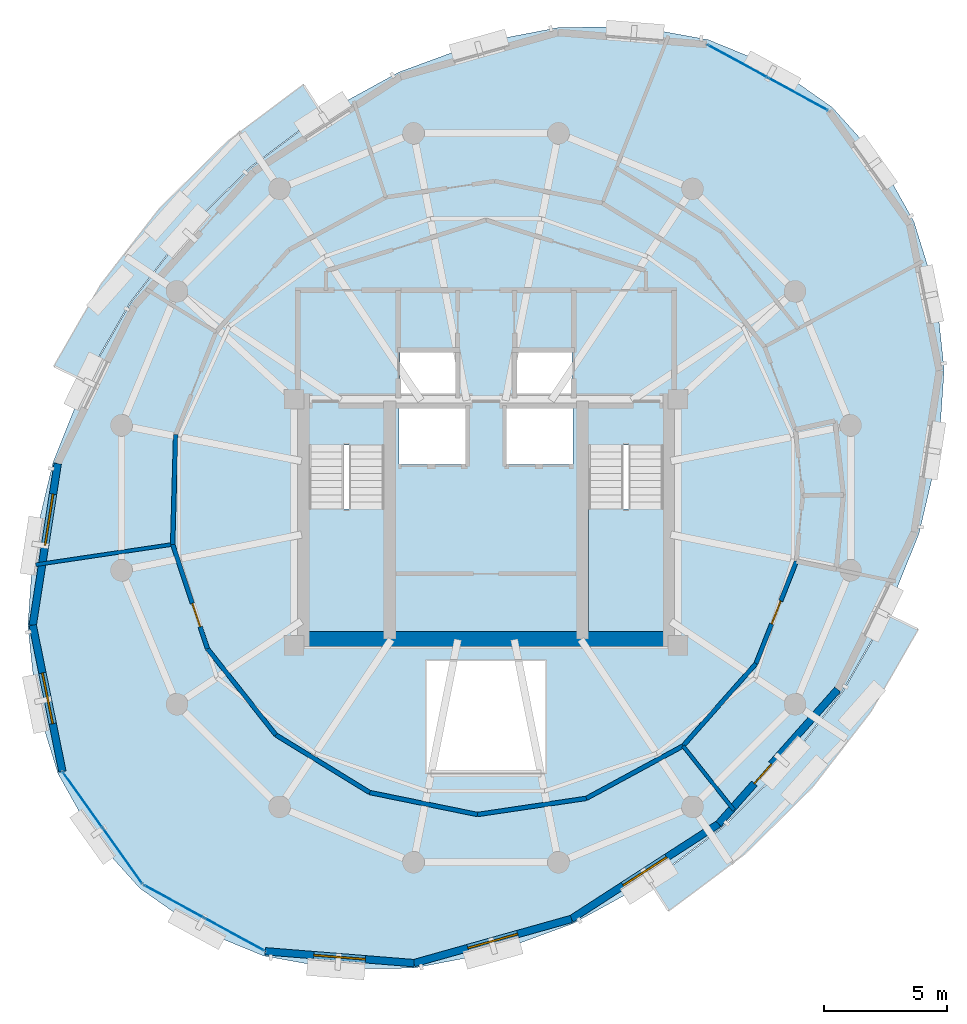
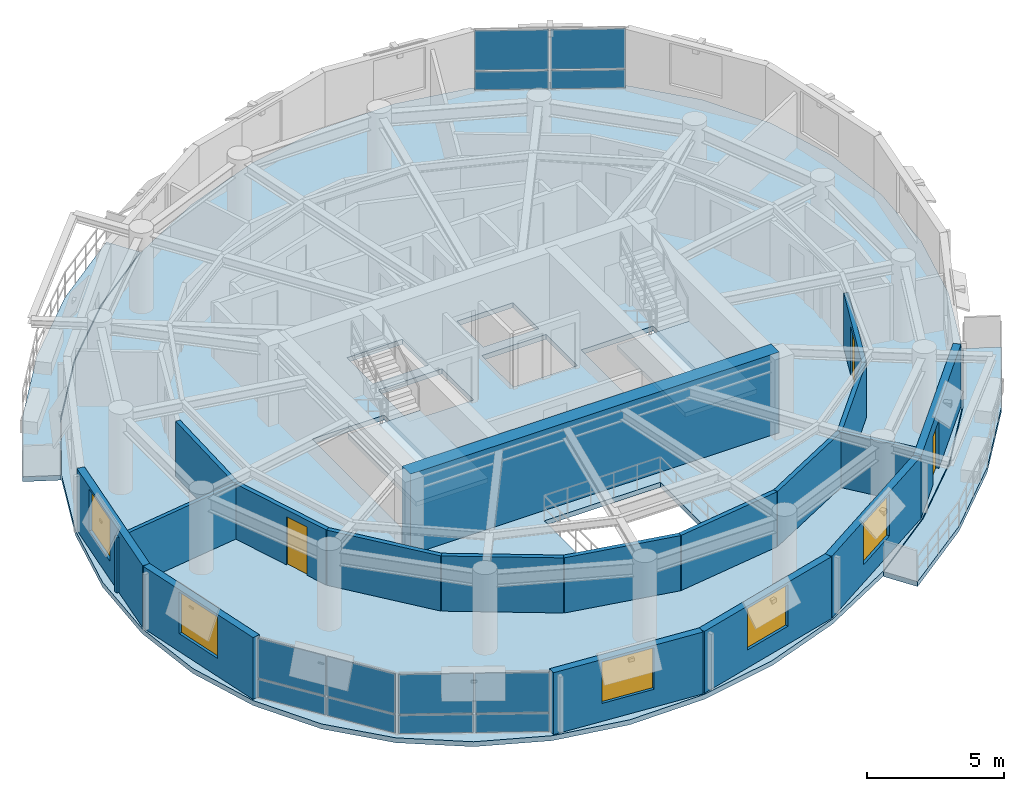
# One storey, part 6 of 11: 18 walls, 12 plates, 5 slabs, 5 windows, 3 doors, 8 openings, 5 elements without a shape of their own.
"""IFC4 building model written with IfcOpenShell, lengths in metres."""

from ifc_helpers import new_model, si_unit, direction, frame, frame_2d, origin, origin_2d, place, context, subcontext, project, spatial, polyline, rectangle, outline, extrude, material, layer, layer_set, type_object, element, fill, aggregate, save


model = new_model("IFC4")

# Units and contexts
model_context = context("Model", 3, precision=1e-05, world=origin(), true_north=direction((0.0, 1.0)))
body_context = subcontext(model_context, "Body", "Model", "MODEL_VIEW")
ifc_project = project(units=[si_unit("LENGTHUNIT", "METRE"), si_unit("AREAUNIT", "SQUARE_METRE"), si_unit("VOLUMEUNIT", "CUBIC_METRE"), si_unit("PLANEANGLEUNIT", "RADIAN"), si_unit("MASSUNIT", "GRAM", prefix="KILO"), si_unit("THERMODYNAMICTEMPERATUREUNIT", "KELVIN"), si_unit("POWERUNIT", "WATT")], contexts=[model_context])

# Site, building, storey
site_placement = place(None, origin())
site = spatial("IfcSite", under=ifc_project, at=site_placement, CompositionType="ELEMENT")
building_placement = place(site_placement, origin())
building = spatial("IfcBuilding", under=site, at=building_placement, Name="Ocrelia Relay Tower", CompositionType="ELEMENT")
storey_placement = place(building_placement, frame((0.0, 0.0, 234.0)))
storey = spatial("IfcBuildingStorey", under=building, at=storey_placement, Name="L57", CompositionType="ELEMENT", Elevation=234.0)

# Curtain wall, plates
ifc_material_1 = material(Name="Aluminium and solar-control low-E glass", Category="aluminium")
ifc_layer_1 = layer(ifc_material_1, 0.179931640625, Name="Aluminium and solar-control low-E glass")
ifc_layer_set_1 = layer_set([ifc_layer_1], Name="Aluminium and solar-control low-E glass")
curtain_wall_type = type_object("IfcCurtainWallType", Name="CW-SYS-Z4-EXEC", PredefinedType="NOTDEFINED", material=ifc_layer_set_1)
curtain_wall_1_placement = place(storey_placement, origin())
curtain_wall_1 = element("IfcCurtainWall", 1, at=curtain_wall_1_placement, inside=storey, type_object=curtain_wall_type, Name="L57 Elliptical Tower Curtain Wall Bay 01", PredefinedType="NOTDEFINED")
ifc_material_2 = material(Name="Clear double-glazed low-E glass", Category="glass")
ifc_layer_2 = layer(ifc_material_2, 0.031982421875, Name="Clear double-glazed low-E glass")
ifc_layer_set_2 = layer_set([ifc_layer_2], Name="Clear double-glazed low-E glass")
plate_type = type_object("IfcPlateType", Name="CW-SYS-Z4-EXEC-PNL", PredefinedType="CURTAIN_PANEL", material=ifc_layer_set_2)
plate_1_placement = place(storey_placement, frame((46.67431640625, 42.39990234375, 0.06005859375), z_axis=(0.0, 0.0, 1.0), x_axis=(-0.877995656301, 0.478668598842, 0.0)))
plate_1 = element("IfcPlate", 2, at=plate_1_placement, type_object=plate_type, Name="CW-Z4 panel 1.1", PredefinedType="CURTAIN_PANEL", context=body_context, shape_type="SweptSolid", body=[
    extrude(rectangle(XDim=2.7275390625, YDim=0.031982421875, at=origin_2d()), origin(), (0.0, 0.0, 1.0), 0.81005859375),
])
plate_2_placement = place(storey_placement, frame((46.67431640625, 42.39990234375, 0.929931640625), z_axis=(0.0, 0.0, 1.0), x_axis=(-0.877995656301, 0.478668598842, 0.0)))
plate_2 = element("IfcPlate", 3, at=plate_2_placement, type_object=plate_type, Name="CW-Z4 panel 1.2", PredefinedType="CURTAIN_PANEL", context=body_context, shape_type="SweptSolid", body=[
    extrude(rectangle(XDim=2.7275390625, YDim=0.031982421875, at=origin_2d()), origin(), (0.0, 0.0, 1.0), 1.77001953125),
])
plate_3_placement = place(storey_placement, frame((44.222412109375, 43.736572265625, 0.06005859375), z_axis=(0.0, 0.0, 1.0), x_axis=(-0.877995656301, 0.478668598842, 0.0)))
plate_3 = element("IfcPlate", 4, at=plate_3_placement, type_object=plate_type, Name="CW-Z4 panel 2.1", PredefinedType="CURTAIN_PANEL", context=body_context, shape_type="SweptSolid", body=[
    extrude(rectangle(XDim=2.7275390625, YDim=0.031982421875, at=origin_2d()), origin(), (0.0, 0.0, 1.0), 0.81005859375),
])
plate_4_placement = place(storey_placement, frame((44.222412109375, 43.736572265625, 0.929931640625), z_axis=(0.0, 0.0, 1.0), x_axis=(-0.877995656301, 0.478668598842, 0.0)))
plate_4 = element("IfcPlate", 5, at=plate_4_placement, type_object=plate_type, Name="CW-Z4 panel 2.2", PredefinedType="CURTAIN_PANEL", context=body_context, shape_type="SweptSolid", body=[
    extrude(rectangle(XDim=2.7275390625, YDim=0.031982421875, at=origin_2d()), origin(), (0.0, 0.0, 1.0), 1.77001953125),
])
aggregate(curtain_wall_1, [plate_1, plate_2, plate_3, plate_4])

curtain_wall_2_placement = place(storey_placement, origin())
curtain_wall_2 = element("IfcCurtainWall", 6, at=curtain_wall_2_placement, inside=storey, type_object=curtain_wall_type, Name="L57 Elliptical Tower Curtain Wall Bay 09", PredefinedType="NOTDEFINED")
plate_5_placement = place(storey_placement, frame((17.619873046875, 13.720947265625, 0.06005859375), z_axis=(0.0, 0.0, 1.0), x_axis=(0.580677214758, -0.814133878585, 0.0)))
plate_5 = element("IfcPlate", 7, at=plate_5_placement, type_object=plate_type, Name="CW-Z4 panel 1.1", PredefinedType="CURTAIN_PANEL", context=body_context, shape_type="SweptSolid", body=[
    extrude(rectangle(XDim=2.7275390625, YDim=0.031982421875, at=origin_2d()), origin(), (0.0, 0.0, 1.0), 0.81005859375),
])
plate_6_placement = place(storey_placement, frame((17.619873046875, 13.720947265625, 0.929931640625), z_axis=(0.0, 0.0, 1.0), x_axis=(0.580677214758, -0.814133878585, 0.0)))
plate_6 = element("IfcPlate", 8, at=plate_6_placement, type_object=plate_type, Name="CW-Z4 panel 1.2", PredefinedType="CURTAIN_PANEL", context=body_context, shape_type="SweptSolid", body=[
    extrude(rectangle(XDim=2.7275390625, YDim=0.031982421875, at=origin_2d()), origin(), (0.0, 0.0, 1.0), 1.77001953125),
])
plate_7_placement = place(storey_placement, frame((19.24169921875, 11.447265625, 0.06005859375), z_axis=(0.0, 0.0, 1.0), x_axis=(0.580677214758, -0.814133878585, 0.0)))
plate_7 = element("IfcPlate", 9, at=plate_7_placement, type_object=plate_type, Name="CW-Z4 panel 2.1", PredefinedType="CURTAIN_PANEL", context=body_context, shape_type="SweptSolid", body=[
    extrude(rectangle(XDim=2.7275390625, YDim=0.031982421875, at=origin_2d()), origin(), (0.0, 0.0, 1.0), 0.81005859375),
])
plate_8_placement = place(storey_placement, frame((19.24169921875, 11.447265625, 0.929931640625), z_axis=(0.0, 0.0, 1.0), x_axis=(0.580677214758, -0.814133878585, 0.0)))
plate_8 = element("IfcPlate", 10, at=plate_8_placement, type_object=plate_type, Name="CW-Z4 panel 2.2", PredefinedType="CURTAIN_PANEL", context=body_context, shape_type="SweptSolid", body=[
    extrude(rectangle(XDim=2.7275390625, YDim=0.031982421875, at=origin_2d()), origin(), (0.0, 0.0, 1.0), 1.77001953125),
])
aggregate(curtain_wall_2, [plate_5, plate_6, plate_7, plate_8])

curtain_wall_3_placement = place(storey_placement, origin())
curtain_wall_3 = element("IfcCurtainWall", 11, at=curtain_wall_3_placement, inside=storey, type_object=curtain_wall_type, Name="L57 Elliptical Tower Curtain Wall Bay 10", PredefinedType="NOTDEFINED")
plate_9_placement = place(storey_placement, frame((21.32568359375, 9.60009765625, 0.06005859375), z_axis=(0.0, 0.0, 1.0), x_axis=(0.877995656301, -0.478668598842, 0.0)))
plate_9 = element("IfcPlate", 12, at=plate_9_placement, type_object=plate_type, Name="CW-Z4 panel 1.1", PredefinedType="CURTAIN_PANEL", context=body_context, shape_type="SweptSolid", body=[
    extrude(rectangle(XDim=2.7275390625, YDim=0.031982421875, at=origin_2d()), origin(), (0.0, 0.0, 1.0), 0.81005859375),
])
plate_10_placement = place(storey_placement, frame((21.32568359375, 9.60009765625, 0.929931640625), z_axis=(0.0, 0.0, 1.0), x_axis=(0.877995656301, -0.478668598842, 0.0)))
plate_10 = element("IfcPlate", 13, at=plate_10_placement, type_object=plate_type, Name="CW-Z4 panel 1.2", PredefinedType="CURTAIN_PANEL", context=body_context, shape_type="SweptSolid", body=[
    extrude(rectangle(XDim=2.7275390625, YDim=0.031982421875, at=origin_2d()), origin(), (0.0, 0.0, 1.0), 1.77001953125),
])
plate_11_placement = place(storey_placement, frame((23.777587890625, 8.263427734375, 0.06005859375), z_axis=(0.0, 0.0, 1.0), x_axis=(0.877995656301, -0.478668598842, 0.0)))
plate_11 = element("IfcPlate", 14, at=plate_11_placement, type_object=plate_type, Name="CW-Z4 panel 2.1", PredefinedType="CURTAIN_PANEL", context=body_context, shape_type="SweptSolid", body=[
    extrude(rectangle(XDim=2.7275390625, YDim=0.031982421875, at=origin_2d()), origin(), (0.0, 0.0, 1.0), 0.81005859375),
])
plate_12_placement = place(storey_placement, frame((23.777587890625, 8.263427734375, 0.929931640625), z_axis=(0.0, 0.0, 1.0), x_axis=(0.877995656301, -0.478668598842, 0.0)))
plate_12 = element("IfcPlate", 15, at=plate_12_placement, type_object=plate_type, Name="CW-Z4 panel 2.2", PredefinedType="CURTAIN_PANEL", context=body_context, shape_type="SweptSolid", body=[
    extrude(rectangle(XDim=2.7275390625, YDim=0.031982421875, at=origin_2d()), origin(), (0.0, 0.0, 1.0), 1.77001953125),
])
aggregate(curtain_wall_3, [plate_9, plate_10, plate_11, plate_12])

# Slabs
ifc_material_3 = material(Name="Precast concrete C40/50", Category="concrete")
ifc_layer_3 = layer(ifc_material_3, 0.219970703125, Name="Precast concrete C40/50")
ifc_layer_set_3 = layer_set([ifc_layer_3], Name="Precast concrete C40/50")
slab_type_1 = type_object("IfcSlabType", Name="SL-BALC-220", PredefinedType="FLOOR", material=ifc_layer_set_3)
slab_1_placement = place(storey_placement, frame((0.0, 0.0, -0.219970703125)))
element("IfcSlab", 16, at=slab_1_placement, inside=storey, type_object=slab_type_1, Name="L57 Planted Loggia Balcony B1", PredefinedType="FLOOR", context=body_context, shape_type="SweptSolid", body=[
    extrude(outline(polyline([(27.330078125, 41.611083984375), (25.869384765625, 40.517822265625), (24.408935546875, 39.4248046875), (21.779052734375, 36.831298828125), (19.52001953125, 33.90869140625), (18.6103515625, 32.327392578125), (17.70068359375, 30.74609375), (16.447021484375, 31.35400390625), (17.404541015625, 33.01904296875), (18.3623046875, 34.68408203125), (20.736328125, 37.75537109375), (23.500244140625, 40.481201171875), (25.0380859375, 41.6318359375), (26.575927734375, 42.78271484375), (27.330078125, 41.611083984375)])), origin(), (0.0, 0.0, 1.0), 0.219970703125),
])
slab_2_placement = place(storey_placement, frame((0.0, 0.0, -0.219970703125)))
element("IfcSlab", 17, at=slab_2_placement, inside=storey, type_object=slab_type_1, Name="L57 Planted Loggia Balcony B2", PredefinedType="FLOOR", context=body_context, shape_type="SweptSolid", body=[
    extrude(outline(polyline([(40.669921875, 10.388916015625), (42.130615234375, 11.482177734375), (43.591064453125, 12.5751953125), (46.220947265625, 15.168701171875), (48.47998046875, 18.09130859375), (49.3896484375, 19.672607421875), (50.29931640625, 21.25390625), (51.552978515625, 20.64599609375), (50.595458984375, 18.98095703125), (49.6376953125, 17.31591796875), (47.263671875, 14.24462890625), (44.499755859375, 11.518798828125), (42.9619140625, 10.3681640625), (41.424072265625, 9.21728515625), (40.669921875, 10.388916015625)])), origin(), (0.0, 0.0, 1.0), 0.219970703125),
])
ifc_material_4 = material(Name="Concrete C50/60", Category="concrete")
ifc_layer_4 = layer(ifc_material_4, 0.219970703125, Name="Concrete C50/60")
ifc_layer_set_4 = layer_set([ifc_layer_4], Name="Concrete C50/60")
slab_type_2 = type_object("IfcSlabType", Name="SL-FLR-220", PredefinedType="FLOOR", material=ifc_layer_set_4)
slab_3_placement = place(storey_placement, frame((0.0, 0.0, -0.219970703125)))
element("IfcSlab", 18, at=slab_3_placement, inside=storey, type_object=slab_type_2, Name="L57 Elliptical Tower Floor Slab", PredefinedType="FLOOR", context=body_context, shape_type="SweptSolid", body=[
    extrude(outline(polyline([(48.061279296875, 41.865478515625), (45.7294921875, 43.501953125), (43.041259765625, 44.6064453125), (40.078369140625, 45.145751953125), (36.9306640625, 45.103271484375), (33.69384765625, 44.480224609375), (30.46630859375, 43.295654296875), (27.346435546875, 41.585693359375), (24.428466796875, 39.402099609375), (21.801513671875, 36.811279296875), (19.544921875, 33.89208984375), (17.727783203125, 30.73291015625), (16.405029296875, 27.43017578125), (15.616943359375, 24.083740234375), (15.38720703125, 20.795654296875), (15.72314453125, 17.665771484375), (16.614501953125, 14.788818359375), (18.033935546875, 12.252685546875), (19.938720703125, 10.134521484375), (22.2705078125, 8.498046875), (24.958740234375, 7.3935546875), (27.921630859375, 6.854248046875), (31.0693359375, 6.896728515625), (34.30615234375, 7.519775390625), (37.53369140625, 8.704345703125), (40.653564453125, 10.414306640625), (43.571533203125, 12.597900390625), (46.198486328125, 15.188720703125), (48.455078125, 18.10791015625), (50.272216796875, 21.26708984375), (51.594970703125, 24.56982421875), (52.383056640625, 27.916259765625), (52.61279296875, 31.204345703125), (52.27685546875, 34.334228515625), (51.385498046875, 37.211181640625), (49.966064453125, 39.747314453125), (48.061279296875, 41.865478515625)]), holes=[polyline([(26.81005859375, 28.14990234375), (26.81005859375, 20.550048828125), (29.85009765625, 20.550048828125), (29.85009765625, 28.14990234375), (26.81005859375, 28.14990234375)]), polyline([(38.159912109375, 28.14990234375), (38.159912109375, 20.550048828125), (41.199951171875, 20.550048828125), (41.199951171875, 28.14990234375), (38.159912109375, 28.14990234375)]), polyline([(30.4599609375, 27.35009765625), (33.159912109375, 27.35009765625), (33.159912109375, 29.64990234375), (30.4599609375, 29.64990234375), (30.4599609375, 27.35009765625)]), polyline([(34.840087890625, 27.35009765625), (37.5400390625, 27.35009765625), (37.5400390625, 29.64990234375), (34.840087890625, 29.64990234375), (34.840087890625, 27.35009765625)]), polyline([(30.5, 30.10009765625), (32.85009765625, 30.10009765625), (32.85009765625, 32.0), (30.5, 32.0), (30.5, 30.10009765625)]), polyline([(35.14990234375, 30.10009765625), (37.5, 30.10009765625), (37.5, 32.0), (35.14990234375, 32.0), (35.14990234375, 30.10009765625)]), polyline([(31.550048828125, 14.800048828125), (36.449951171875, 14.800048828125), (36.449951171875, 19.39990234375), (31.550048828125, 19.39990234375), (31.550048828125, 14.800048828125)])]), origin(), (0.0, 0.0, 1.0), 0.219970703125),
])

# Stair, slab
stair_type = type_object("IfcStairType", Name="ST-DL-1420-R180", PredefinedType="HALF_TURN_STAIR", material=ifc_material_4)
stair_1_placement = place(storey_placement, origin())
stair_1 = element("IfcStair", 19, at=stair_1_placement, inside=storey, type_object=stair_type, Name="L57 West Core Exit Stair ST1", PredefinedType="HALF_TURN_STAIR")
ifc_layer_5 = layer(ifc_material_4, 0.199951171875, Name="Concrete C50/60")
ifc_layer_set_5 = layer_set([ifc_layer_5], Name="Concrete C50/60")
slab_type_3 = type_object("IfcSlabType", Name="SL-LANDING-200", PredefinedType="LANDING", material=ifc_layer_set_5)
slab_4_placement = place(storey_placement, frame((0.0, 0.0, 1.60009765625)))
slab_4 = element("IfcSlab", 20, at=slab_4_placement, type_object=slab_type_3, Name="ST1 landing 1", PredefinedType="LANDING", context=body_context, shape_type="SweptSolid", body=[
    extrude(outline(polyline([(26.81005859375, 25.5400390625), (26.81005859375, 20.550048828125), (29.85009765625, 20.550048828125), (29.85009765625, 25.5400390625), (26.81005859375, 25.5400390625)])), origin(), (0.0, 0.0, 1.0), 0.199951171875),
])
aggregate(stair_1, [slab_4])

stair_2_placement = place(storey_placement, origin())
stair_2 = element("IfcStair", 21, at=stair_2_placement, inside=storey, type_object=stair_type, Name="L57 East Core Exit Stair ST2", PredefinedType="HALF_TURN_STAIR")
slab_5_placement = place(storey_placement, frame((0.0, 0.0, 1.60009765625)))
slab_5 = element("IfcSlab", 22, at=slab_5_placement, type_object=slab_type_3, Name="ST2 landing 1", PredefinedType="LANDING", context=body_context, shape_type="SweptSolid", body=[
    extrude(outline(polyline([(38.159912109375, 25.5400390625), (38.159912109375, 20.550048828125), (41.199951171875, 20.550048828125), (41.199951171875, 25.5400390625), (38.159912109375, 25.5400390625)])), origin(), (0.0, 0.0, 1.0), 0.199951171875),
])
aggregate(stair_2, [slab_5])

# Walls
ifc_layer_6 = layer(ifc_material_4, 0.60009765625, Name="Concrete C50/60")
ifc_layer_set_6 = layer_set([ifc_layer_6], Name="Concrete C50/60")
wall_type_1 = type_object("IfcWallType", Name="CW-CORE-600B", PredefinedType="SHEAR", material=ifc_layer_set_6)
wall_1_placement = place(storey_placement, frame((26.221923828125, 20.261962890625, 0.0), z_axis=(0.0, 0.0, 1.0), x_axis=(1.0, 0.0, 0.0)))
element("IfcWall", 23, at=wall_1_placement, inside=storey, type_object=wall_type_1, Name="L57 Core Shear Wall S", PredefinedType="SHEAR", context=body_context, shape_type="SweptSolid", body=[
    extrude(rectangle(XDim=15.566162109375, YDim=0.60009765625, at=frame_2d((7.783203125, 0.0))), origin(), (0.0, 0.0, 1.0), 3.60009765625),
])
ifc_material_5 = material(Name="Gypsum Fireboard Partition EI60", Category="gypsum")
ifc_layer_7 = layer(ifc_material_5, 0.179931640625, Name="Gypsum Fireboard Partition EI60")
ifc_layer_set_7 = layer_set([ifc_layer_7], Name="Gypsum Fireboard Partition EI60")
wall_type_2 = type_object("IfcWallType", Name="W-CORR-EI60-180", PredefinedType="PARTITIONING", material=ifc_layer_set_7)
wall_2_placement = place(storey_placement, frame((21.390625, 28.576904296875, 0.0), z_axis=(0.0, 0.0, 1.0), x_axis=(-0.027037813982, -0.99963441148, 0.0)))
element("IfcWall", 24, at=wall_2_placement, inside=storey, type_object=wall_type_2, Name="L57 Strategy Office E Corridor Partition 2", PredefinedType="PARTITIONING", context=body_context, shape_type="SweptSolid", body=[
    extrude(rectangle(XDim=4.4697265625, YDim=0.179931640625, at=frame_2d((2.23486328125, 0.0))), origin(), (0.0, 0.0, 1.0), 2.4599609375),
])

# Wall, opening, door
wall_3_placement = place(storey_placement, frame((21.269775390625, 24.10888671875, 0.0), z_axis=(0.0, 0.0, 1.0), x_axis=(0.316473549496, -0.948601334845, 0.0)))
wall_3 = element("IfcWall", 25, at=wall_3_placement, inside=storey, type_object=wall_type_2, Name="L57 International Office F Corridor Partition 1", PredefinedType="PARTITIONING", context=body_context, shape_type="SweptSolid", body=[
    extrude(rectangle(XDim=4.4697265625, YDim=0.179931640625, at=frame_2d((2.23486328125, 0.0))), origin(), (0.0, 0.0, 1.0), 2.4599609375),
])
opening_1_placement = place(wall_3_placement, frame((2.52734375, 0.0, 0.0)))
opening_1 = element("IfcOpeningElement", 26, at=opening_1_placement, cuts=wall_3, Name="Opening D-RM100", PredefinedType="OPENING", context=body_context, shape_type="SweptSolid", body=[
    extrude(rectangle(XDim=1.0, YDim=2.14990234375, at=frame_2d((0.5, 1.074951171875))), frame((0.0, 0.10009765625, 0.0), z_axis=(0.0, -1.0, 0.0), x_axis=(1.0, 0.0, 0.0)), (0.0, 0.0, 1.0), 0.199951171875),
])
ifc_material_6 = material(Name="Acoustic oak veneer fire door", Category="wood")
door_type_1 = type_object("IfcDoorType", Name="DR-ROOM-FD60-1000", OperationType="NOTDEFINED", PredefinedType="DOOR", material=ifc_material_6)
door_1_placement = place(opening_1_placement, origin())
door_1 = element("IfcDoor", 27, at=door_1_placement, inside=storey, type_object=door_type_1, Name="L57 International Office F Entrance Door", OperationType="SINGLE_SWING_RIGHT", OverallHeight=2.14990234375, OverallWidth=1.0, PredefinedType="DOOR", context=body_context, shape_type="SweptSolid", body=[
    extrude(rectangle(XDim=1.0, YDim=2.14990234375, at=frame_2d((0.5, 1.074951171875))), frame((0.0, 0.02490234375, 0.0), z_axis=(0.0, -1.0, 0.0), x_axis=(1.0, 0.0, 0.0)), (0.0, 0.0, 1.0), 0.050048828125),
])
fill(opening_1, door_1)

# Walls
for number, where, z_axis, x_axis, name in (
    (28, (22.684326171875, 19.868896484375, 0.0), (0.0, 0.0, 1.0), (0.621813175889, -0.783165611024, 0.0), "L57 International Office F Corridor Partition 2"),
    (29, (25.463623046875, 16.368408203125, 0.0), (0.0, 0.0, 1.0), (0.852175498572, -0.523256074626, 0.0), "L57 International Office F Corridor Partition 3"),
    (30, (29.272705078125, 14.029541015625, 0.0), (0.0, 0.0, 1.0), (0.979757075519, -0.200190092088, 0.0), "L57 International Office F Corridor Partition 4"),
    (31, (33.65185546875, 13.134765625, 0.0), (0.0, 0.0, 1.0), (0.989146493134, 0.146932689079, 0.0), "L57 International Office F Corridor Partition 5"),
    (32, (38.072998046875, 13.79150390625, 0.0), (0.0, 0.0, 1.0), (0.879228100165, 0.476401036817, 0.0), "L57 International Office F Corridor Partition 6"),
    (33, (42.0029296875, 15.9208984375, 0.0), (0.0, 0.0, 1.0), (0.663274838451, 0.748375900652, 0.0), "L57 Hospitality Servery Pantry Corridor Partition 1"),
):
    element("IfcWall", number, at=place(storey_placement, frame(where, z_axis=z_axis, x_axis=x_axis)), inside=storey, type_object=wall_type_2, Name=name, PredefinedType="PARTITIONING", context=body_context, shape_type="SweptSolid", body=[
        extrude(rectangle(XDim=4.4697265625, YDim=0.179931640625, at=frame_2d((2.23486328125, 0.0))), origin(), (0.0, 0.0, 1.0), 2.4599609375),
    ])

# Wall, opening, door
wall_4_placement = place(storey_placement, frame((44.967529296875, 19.265869140625, 0.0), z_axis=(0.0, 0.0, 1.0), x_axis=(0.367328200365, 0.930091389712, 0.0)))
wall_4 = element("IfcWall", 34, at=wall_4_placement, inside=storey, type_object=wall_type_2, Name="L57 Hospitality Servery Pantry Corridor Partition 2", PredefinedType="PARTITIONING", context=body_context, shape_type="SweptSolid", body=[
    extrude(rectangle(XDim=4.4697265625, YDim=0.179931640625, at=frame_2d((2.23486328125, 0.0))), origin(), (0.0, 0.0, 1.0), 2.4599609375),
])
opening_2_placement = place(wall_4_placement, frame((1.73486328125, 0.0, 0.0)))
opening_2 = element("IfcOpeningElement", 35, at=opening_2_placement, cuts=wall_4, Name="Opening D-RM100", PredefinedType="OPENING", context=body_context, shape_type="SweptSolid", body=[
    extrude(rectangle(XDim=1.0, YDim=2.14990234375, at=frame_2d((0.5, 1.074951171875))), frame((0.0, 0.10009765625, 0.0), z_axis=(0.0, -1.0, 0.0), x_axis=(1.0, 0.0, 0.0)), (0.0, 0.0, 1.0), 0.199951171875),
])
door_2_placement = place(opening_2_placement, origin())
door_2 = element("IfcDoor", 36, at=door_2_placement, inside=storey, type_object=door_type_1, Name="L57 Hospitality Servery Pantry Entrance Door", OperationType="SINGLE_SWING_LEFT", OverallHeight=2.14990234375, OverallWidth=1.0, PredefinedType="DOOR", context=body_context, shape_type="SweptSolid", body=[
    extrude(rectangle(XDim=1.0, YDim=2.14990234375, at=frame_2d((0.5, 1.074951171875))), frame((0.0, 0.02490234375, 0.0), z_axis=(0.0, -1.0, 0.0), x_axis=(1.0, 0.0, 0.0)), (0.0, 0.0, 1.0), 0.050048828125),
])
fill(opening_2, door_2)

# Wall, opening, window
ifc_material_7 = material(Name="Precast concrete C40/50 with oxide terracotta", Category="masonry")
ifc_layer_8 = layer(ifc_material_7, 0.300048828125, Name="Precast concrete C40/50 with oxide terracotta")
ifc_layer_set_8 = layer_set([ifc_layer_8], Name="Precast concrete C40/50 with oxide terracotta")
wall_type_3 = type_object("IfcWallType", Name="W-EXT-TERR-300", PredefinedType="SOLIDWALL", material=ifc_layer_set_8)
wall_5_placement = place(storey_placement, frame((16.60107421875, 27.39013671875, 0.0), z_axis=(0.0, 0.0, 1.0), x_axis=(-0.15291596783, -0.988239195126, 0.0)))
wall_5 = element("IfcWall", 37, at=wall_5_placement, inside=storey, type_object=wall_type_3, Name="L57 Oxide Terracotta Facade Wall 07", PredefinedType="SOLIDWALL", context=body_context, shape_type="SweptSolid", body=[
    extrude(rectangle(XDim=6.643310546875, YDim=0.300048828125, at=frame_2d((3.32177734375, 0.0))), origin(), (0.0, 0.0, 1.0), 2.760009765625),
])
opening_3_placement = place(wall_5_placement, frame((1.251953125, 0.0, 0.800048828125)))
opening_3 = element("IfcOpeningElement", 38, at=opening_3_placement, cuts=wall_5, Name="Opening W-07", PredefinedType="OPENING", context=body_context, shape_type="SweptSolid", body=[
    extrude(rectangle(XDim=2.10009765625, YDim=1.85009765625, at=frame_2d((1.050048828125, 0.925048828125))), frame((0.0, 0.16015625, 0.0), z_axis=(0.0, -1.0, 0.0), x_axis=(1.0, 0.0, 0.0)), (0.0, 0.0, 1.0), 0.320068359375),
])
window_type = type_object("IfcWindowType", Name="WIN-Z4-2100x2200", PartitioningType="DOUBLE_PANEL_VERTICAL", PredefinedType="WINDOW", material=ifc_material_2)
window_1_placement = place(opening_3_placement, origin())
window_1 = element("IfcWindow", 39, at=window_1_placement, inside=storey, type_object=window_type, Name="L57 Facade Module Window 07", OverallHeight=1.85009765625, OverallWidth=2.10009765625, PartitioningType="SINGLE_PANEL", PredefinedType="WINDOW", context=body_context, shape_type="SweptSolid", body=[
    extrude(rectangle(XDim=2.10009765625, YDim=1.85009765625, at=frame_2d((1.050048828125, 0.925048828125))), frame((0.0, 0.030029296875, 0.0), z_axis=(0.0, -1.0, 0.0), x_axis=(1.0, 0.0, 0.0)), (0.0, 0.0, 1.0), 0.06005859375),
])
fill(opening_3, window_1)

wall_6_placement = place(storey_placement, frame((15.585205078125, 20.824951171875, 0.0), z_axis=(0.0, 0.0, 1.0), x_axis=(0.198803056685, -0.980039460763, 0.0)))
wall_6 = element("IfcWall", 40, at=wall_6_placement, inside=storey, type_object=wall_type_3, Name="L57 Oxide Terracotta Facade Wall 08", PredefinedType="SOLIDWALL", context=body_context, shape_type="SweptSolid", body=[
    extrude(rectangle(XDim=6.061767578125, YDim=0.300048828125, at=frame_2d((3.03076171875, 0.0))), origin(), (0.0, 0.0, 1.0), 2.760009765625),
])
opening_4_placement = place(wall_6_placement, frame((1.98095703125, 0.0, 0.800048828125)))
opening_4 = element("IfcOpeningElement", 41, at=opening_4_placement, cuts=wall_6, Name="Opening W-07", PredefinedType="OPENING", context=body_context, shape_type="SweptSolid", body=[
    extrude(rectangle(XDim=2.10009765625, YDim=1.85009765625, at=frame_2d((1.050048828125, 0.925048828125))), frame((0.0, 0.16015625, 0.0), z_axis=(0.0, -1.0, 0.0), x_axis=(1.0, 0.0, 0.0)), (0.0, 0.0, 1.0), 0.320068359375),
])
window_2_placement = place(opening_4_placement, origin())
window_2 = element("IfcWindow", 42, at=window_2_placement, inside=storey, type_object=window_type, Name="L57 Facade Module Window 08", OverallHeight=1.85009765625, OverallWidth=2.10009765625, PartitioningType="SINGLE_PANEL", PredefinedType="WINDOW", context=body_context, shape_type="SweptSolid", body=[
    extrude(rectangle(XDim=2.10009765625, YDim=1.85009765625, at=frame_2d((1.050048828125, 0.925048828125))), frame((0.0, 0.030029296875, 0.0), z_axis=(0.0, -1.0, 0.0), x_axis=(1.0, 0.0, 0.0)), (0.0, 0.0, 1.0), 0.06005859375),
])
fill(opening_4, window_2)

wall_7_placement = place(storey_placement, frame((25.0322265625, 7.57958984375, 0.0), z_axis=(0.0, 0.0, 1.0), x_axis=(0.996821678443, -0.079665183029, 0.0)))
wall_7 = element("IfcWall", 43, at=wall_7_placement, inside=storey, type_object=wall_type_3, Name="L57 Oxide Terracotta Facade Wall 11", PredefinedType="SOLIDWALL", context=body_context, shape_type="SweptSolid", body=[
    extrude(rectangle(XDim=6.061767578125, YDim=0.300048828125, at=frame_2d((3.03076171875, 0.0))), origin(), (0.0, 0.0, 1.0), 2.760009765625),
])
opening_5_placement = place(wall_7_placement, frame((1.98095703125, 0.0, 0.800048828125)))
opening_5 = element("IfcOpeningElement", 44, at=opening_5_placement, cuts=wall_7, Name="Opening W-07", PredefinedType="OPENING", context=body_context, shape_type="SweptSolid", body=[
    extrude(rectangle(XDim=2.10009765625, YDim=1.85009765625, at=frame_2d((1.050048828125, 0.925048828125))), frame((0.0, 0.16015625, 0.0), z_axis=(0.0, -1.0, 0.0), x_axis=(1.0, 0.0, 0.0)), (0.0, 0.0, 1.0), 0.320068359375),
])
window_3_placement = place(opening_5_placement, origin())
window_3 = element("IfcWindow", 45, at=window_3_placement, inside=storey, type_object=window_type, Name="L57 Facade Module Window 11", OverallHeight=1.85009765625, OverallWidth=2.10009765625, PartitioningType="SINGLE_PANEL", PredefinedType="WINDOW", context=body_context, shape_type="SweptSolid", body=[
    extrude(rectangle(XDim=2.10009765625, YDim=1.85009765625, at=frame_2d((1.050048828125, 0.925048828125))), frame((0.0, 0.030029296875, 0.0), z_axis=(0.0, -1.0, 0.0), x_axis=(1.0, 0.0, 0.0)), (0.0, 0.0, 1.0), 0.06005859375),
])
fill(opening_5, window_3)

wall_8_placement = place(storey_placement, frame((31.07470703125, 7.0966796875, 0.0), z_axis=(0.0, 0.0, 1.0), x_axis=(0.962704799022, 0.270554005589, 0.0)))
wall_8 = element("IfcWall", 46, at=wall_8_placement, inside=storey, type_object=wall_type_3, Name="L57 Oxide Terracotta Facade Wall 12", PredefinedType="SOLIDWALL", context=body_context, shape_type="SweptSolid", body=[
    extrude(rectangle(XDim=6.643310546875, YDim=0.300048828125, at=frame_2d((3.32177734375, 0.0))), origin(), (0.0, 0.0, 1.0), 2.760009765625),
])
opening_6_placement = place(wall_8_placement, frame((2.27197265625, 0.0, 0.800048828125)))
opening_6 = element("IfcOpeningElement", 47, at=opening_6_placement, cuts=wall_8, Name="Opening W-07", PredefinedType="OPENING", context=body_context, shape_type="SweptSolid", body=[
    extrude(rectangle(XDim=2.10009765625, YDim=1.85009765625, at=frame_2d((1.050048828125, 0.925048828125))), frame((0.0, 0.16015625, 0.0), z_axis=(0.0, -1.0, 0.0), x_axis=(1.0, 0.0, 0.0)), (0.0, 0.0, 1.0), 0.320068359375),
])
window_4_placement = place(opening_6_placement, origin())
window_4 = element("IfcWindow", 48, at=window_4_placement, inside=storey, type_object=window_type, Name="L57 Facade Module Window 12", OverallHeight=1.85009765625, OverallWidth=2.10009765625, PartitioningType="SINGLE_PANEL", PredefinedType="WINDOW", context=body_context, shape_type="SweptSolid", body=[
    extrude(rectangle(XDim=2.10009765625, YDim=1.85009765625, at=frame_2d((1.050048828125, 0.925048828125))), frame((0.0, 0.030029296875, 0.0), z_axis=(0.0, -1.0, 0.0), x_axis=(1.0, 0.0, 0.0)), (0.0, 0.0, 1.0), 0.06005859375),
])
fill(opening_6, window_4)

wall_9_placement = place(storey_placement, frame((37.47021484375, 8.89404296875, 0.0), z_axis=(0.0, 0.0, 1.0), x_axis=(0.840018200764, 0.542558220272, 0.0)))
wall_9 = element("IfcWall", 49, at=wall_9_placement, inside=storey, type_object=wall_type_3, Name="L57 Oxide Terracotta Facade Wall 13", PredefinedType="SOLIDWALL", context=body_context, shape_type="SweptSolid", body=[
    extrude(rectangle(XDim=7.114990234375, YDim=0.300048828125, at=frame_2d((3.5576171875, 0.0))), origin(), (0.0, 0.0, 1.0), 2.760009765625),
])
opening_7_placement = place(wall_9_placement, frame((2.508056640625, 0.0, 0.800048828125)))
opening_7 = element("IfcOpeningElement", 50, at=opening_7_placement, cuts=wall_9, Name="Opening W-07", PredefinedType="OPENING", context=body_context, shape_type="SweptSolid", body=[
    extrude(rectangle(XDim=2.10009765625, YDim=1.85009765625, at=frame_2d((1.050048828125, 0.925048828125))), frame((0.0, 0.16015625, 0.0), z_axis=(0.0, -1.0, 0.0), x_axis=(1.0, 0.0, 0.0)), (0.0, 0.0, 1.0), 0.320068359375),
])
window_5_placement = place(opening_7_placement, origin())
window_5 = element("IfcWindow", 51, at=window_5_placement, inside=storey, type_object=window_type, Name="L57 Facade Module Window 13", OverallHeight=1.85009765625, OverallWidth=2.10009765625, PartitioningType="SINGLE_PANEL", PredefinedType="WINDOW", context=body_context, shape_type="SweptSolid", body=[
    extrude(rectangle(XDim=2.10009765625, YDim=1.85009765625, at=frame_2d((1.050048828125, 0.925048828125))), frame((0.0, 0.030029296875, 0.0), z_axis=(0.0, -1.0, 0.0), x_axis=(1.0, 0.0, 0.0)), (0.0, 0.0, 1.0), 0.06005859375),
])
fill(opening_7, window_5)

# Wall, opening, door
wall_10_placement = place(storey_placement, frame((43.447021484375, 12.75439453125, 0.0), z_axis=(0.0, 0.0, 1.0), x_axis=(0.663261925143, 0.748387345333, 0.0)))
wall_10 = element("IfcWall", 52, at=wall_10_placement, inside=storey, type_object=wall_type_3, Name="L57 Oxide Terracotta Facade Wall 14", PredefinedType="SOLIDWALL", context=body_context, shape_type="SweptSolid", body=[
    extrude(rectangle(XDim=7.29345703125, YDim=0.300048828125, at=frame_2d((3.646728515625, 0.0))), origin(), (0.0, 0.0, 1.0), 2.760009765625),
])
opening_8_placement = place(wall_10_placement, frame((2.18994140625, 0.0, 0.0)))
opening_8 = element("IfcOpeningElement", 53, at=opening_8_placement, cuts=wall_10, Name="Opening DB-105", PredefinedType="OPENING", context=body_context, shape_type="SweptSolid", body=[
    extrude(rectangle(XDim=1.050048828125, YDim=2.14990234375, at=frame_2d((0.52490234375, 1.074951171875))), frame((0.0, 0.16015625, 0.0), z_axis=(0.0, -1.0, 0.0), x_axis=(1.0, 0.0, 0.0)), (0.0, 0.0, 1.0), 0.320068359375),
])
ifc_material_8 = material(Name="Thermally broken aluminium and clear glass", Category="aluminium")
door_type_2 = type_object("IfcDoorType", Name="DR-BALC-1050", OperationType="NOTDEFINED", PredefinedType="DOOR", material=ifc_material_8)
door_3_placement = place(opening_8_placement, origin())
door_3 = element("IfcDoor", 54, at=door_3_placement, inside=storey, type_object=door_type_2, Name="L57 Planted Loggia Balcony Door B2", OperationType="SINGLE_SWING_LEFT", OverallHeight=2.14990234375, OverallWidth=1.050048828125, PredefinedType="DOOR", context=body_context, shape_type="SweptSolid", body=[
    extrude(rectangle(XDim=1.050048828125, YDim=2.14990234375, at=frame_2d((0.52490234375, 1.074951171875))), frame((0.0, 0.02490234375, 0.0), z_axis=(0.0, -1.0, 0.0), x_axis=(1.0, 0.0, 0.0)), (0.0, 0.0, 1.0), 0.050048828125),
])
fill(opening_8, door_3)

# Walls
ifc_material_9 = material(Name="Acoustic Fireboard Partition EI60", Category="gypsum")
ifc_layer_9 = layer(ifc_material_9, 0.14990234375, Name="Acoustic Fireboard Partition EI60")
ifc_layer_set_9 = layer_set([ifc_layer_9], Name="Acoustic Fireboard Partition EI60")
wall_type_4 = type_object("IfcWallType", Name="W-PART-150", PredefinedType="PARTITIONING", material=ifc_layer_set_9)
wall_11_placement = place(storey_placement, frame((21.269775390625, 24.10888671875, 0.0), z_axis=(0.0, 0.0, 1.0), x_axis=(-0.989139940233, -0.146976796248, 0.0)))
element("IfcWall", 55, at=wall_11_placement, inside=storey, type_object=wall_type_4, Name="L57 Strategy Office E Radial Partition", PredefinedType="PARTITIONING", context=body_context, shape_type="SweptSolid", body=[
    extrude(rectangle(XDim=5.62109375, YDim=0.14990234375, at=frame_2d((2.810546875, 0.0))), origin(), (0.0, 0.0, 1.0), 2.4599609375),
])
wall_12_placement = place(storey_placement, frame((42.0029296875, 15.9208984375, 0.0), z_axis=(0.0, 0.0, 1.0), x_axis=(0.62183058336, -0.783151789628, 0.0)))
element("IfcWall", 56, at=wall_12_placement, inside=storey, type_object=wall_type_4, Name="L57 International Office F Radial Partition", PredefinedType="PARTITIONING", context=body_context, shape_type="SweptSolid", body=[
    extrude(rectangle(XDim=3.3310546875, YDim=0.14990234375, at=frame_2d((1.66552734375, 0.0))), origin(), (0.0, 0.0, 1.0), 2.4599609375),
])

save(model, "model.ifc")
